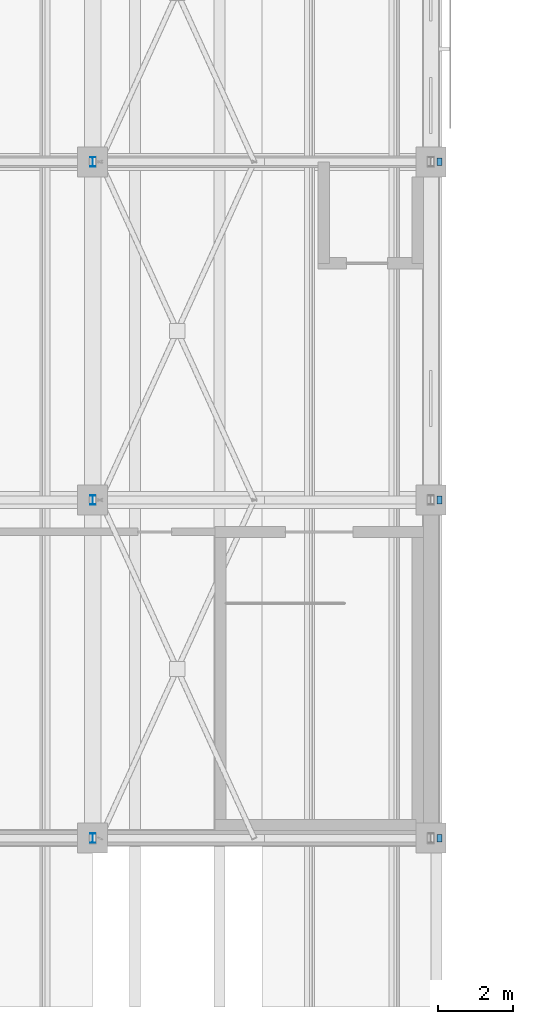
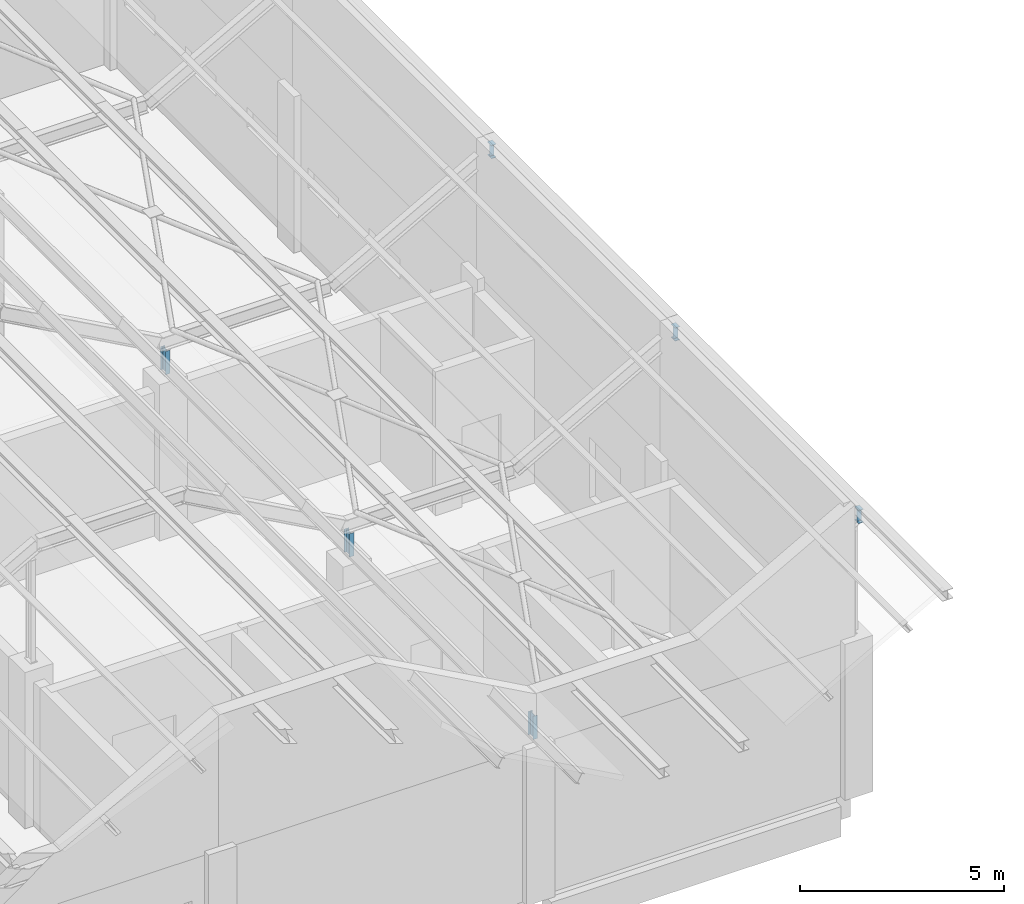
# One storey, part 228 of 437: 6 members.
"""IFC4 building model written with IfcOpenShell, lengths in metres."""

from ifc_helpers import new_model, si_unit, direction, frame, origin, origin_2d, place, context, subcontext, project, spatial, i_section, extrude, material, material_profile, profile_set, type_object, element, save


model = new_model("IFC4")

# Units and contexts
model_context = context("Model", 3, precision=1e-05, world=origin(), true_north=direction((0.0, 1.0)))
body_context = subcontext(model_context, "Body", "Model", "MODEL_VIEW")
ifc_project = project(units=[si_unit("LENGTHUNIT", "METRE"), si_unit("AREAUNIT", "SQUARE_METRE"), si_unit("VOLUMEUNIT", "CUBIC_METRE"), si_unit("PLANEANGLEUNIT", "RADIAN"), si_unit("MASSUNIT", "GRAM", prefix="KILO")], contexts=[model_context])

# Site, building, storey
site_placement = place(None, origin())
site = spatial("IfcSite", under=ifc_project, at=site_placement, CompositionType="ELEMENT")
building_placement = place(site_placement, origin())
building = spatial("IfcBuilding", under=site, at=building_placement, Name="Opaline Strait Convention Centre", CompositionType="ELEMENT")
storey_placement = place(building_placement, frame((0.0, 0.0, 11.5)))
storey = spatial("IfcBuildingStorey", under=building, at=storey_placement, Name="L02", CompositionType="ELEMENT", Elevation=11.5)

# Members
ifc_material = material(Name="Steel Q355B", Category="steel")
ifc_material_profile_1 = material_profile(ifc_material, i_section(OverallWidth=0.125, OverallDepth=0.25, WebThickness=0.006103515625, FlangeThickness=0.009033203125, FilletRadius=0.008056640625, at=origin_2d()), Name="HN 250x125x6x9")
ifc_profile_set_1 = profile_set([ifc_material_profile_1], Name="Steel Q355B")
member_type_1 = type_object("IfcMemberType", Name="Roof post HN 250x125x6x9", PredefinedType="STRUT", material=ifc_profile_set_1)
for number, where, z_axis, x_axis, name in (
    (1, (72.0, 9.0, 4.68994140625), (0.0, 0.0, 1.0), (1.0, 0.0, 0.0), "RP1 roof post at 72/9"),
    (2, (72.0, 18.0, 4.68994140625), (0.0, 0.0, 1.0), (1.0, 0.0, 0.0), "RP1 roof post at 72/18"),
    (3, (72.0, 27.0, 4.68994140625), (0.0, 0.0, 1.0), (1.0, 0.0, 0.0), "RP1 roof post at 72/27"),
):
    element("IfcMember", number, at=place(storey_placement, frame(where, z_axis=z_axis, x_axis=x_axis)), inside=storey, type_object=member_type_1, Name=name, PredefinedType="STRUT", context=body_context, shape_type="SweptSolid", body=[
        extrude(i_section(OverallWidth=0.125, OverallDepth=0.25, WebThickness=0.006103515625, FlangeThickness=0.009033203125, FilletRadius=0.008056640625, at=origin_2d()), origin(), (0.0, 0.0, 1.0), 0.695068359375),
    ])
ifc_material_profile_2 = material_profile(ifc_material, i_section(OverallWidth=0.199951171875, OverallDepth=0.39990234375, WebThickness=0.008056640625, FlangeThickness=0.012939453125, FilletRadius=0.012939453125, at=origin_2d()), Name="HN 400x200x8x13")
ifc_profile_set_2 = profile_set([ifc_material_profile_2], Name="Steel Q355B")
member_type_2 = type_object("IfcMemberType", Name="Roof rafter HN 400x200x8x13", PredefinedType="RAFTER", material=ifc_profile_set_2)
for number, where, z_axis, x_axis, name in (
    (4, (81.16845703125, 9.0, 8.10009765625), (1.0, 0.0, 0.0), (0.0, 1.0, 0.0), "RR1 rafter line 1 facet 18"),
    (5, (81.16845703125, 18.0, 8.10009765625), (1.0, 0.0, 0.0), (0.0, 1.0, 0.0), "RR1 rafter line 2 facet 18"),
    (6, (81.16845703125, 27.0, 8.10009765625), (1.0, 0.0, 0.0), (0.0, 1.0, 0.0), "RR1 rafter line 3 facet 18"),
):
    element("IfcMember", number, at=place(storey_placement, frame(where, z_axis=z_axis, x_axis=x_axis)), inside=storey, type_object=member_type_2, Name=name, PredefinedType="RAFTER", context=body_context, shape_type="SweptSolid", body=[
        extrude(i_section(OverallWidth=0.199951171875, OverallDepth=0.39990234375, WebThickness=0.008056640625, FlangeThickness=0.012939453125, FilletRadius=0.012939453125, at=origin_2d()), origin(), (0.0, 0.0, 1.0), 0.131591796875),
    ])

save(model, "model.ifc")
